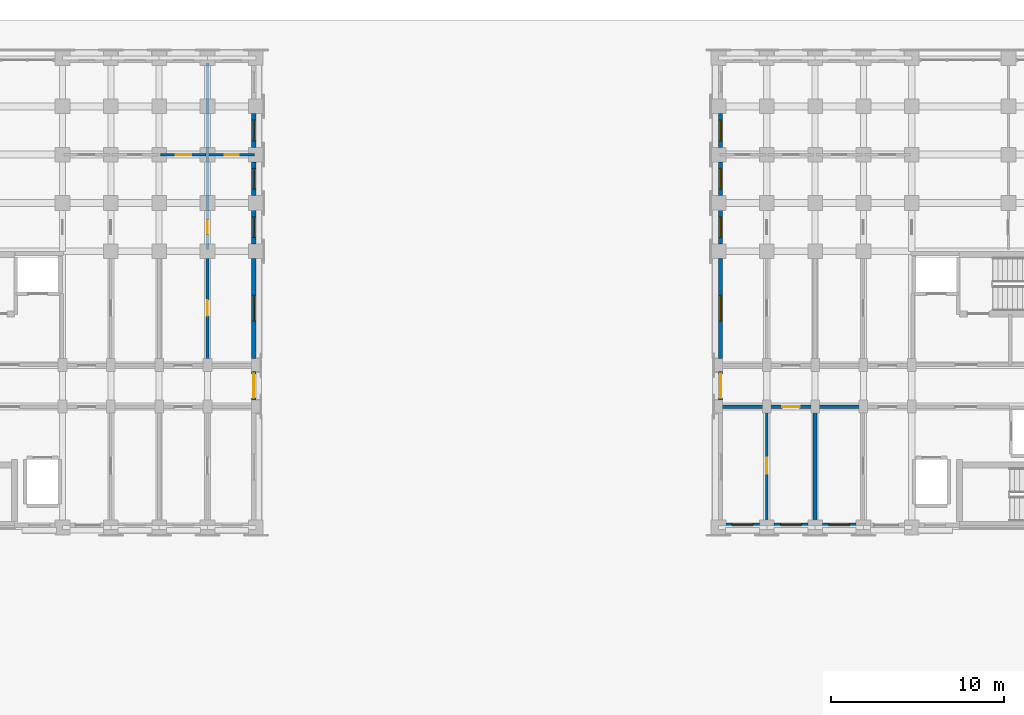
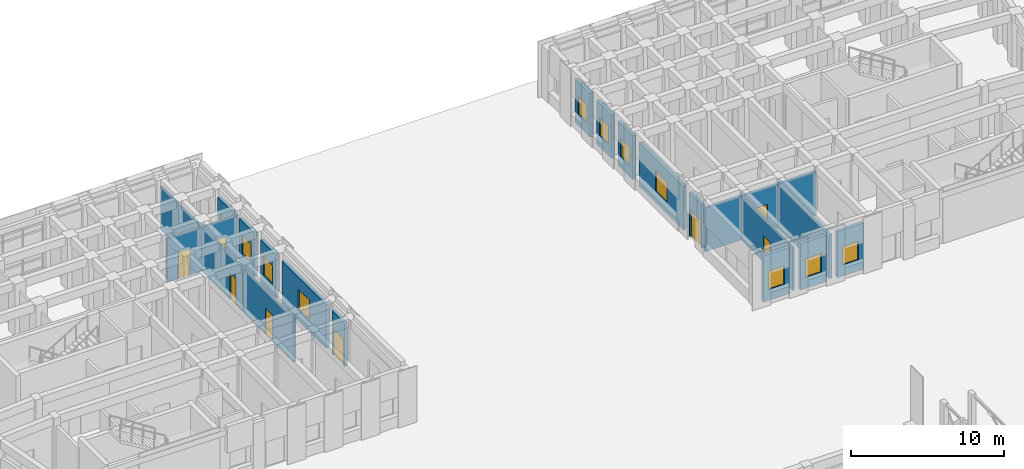
# One storey, part 104 of 135: 22 walls, 11 windows, 8 doors, 19 openings.
"""IFC4 building model written with IfcOpenShell, lengths in metres."""

from ifc_helpers import new_model, si_unit, direction, frame, frame_2d, origin, place, context, subcontext, project, spatial, rectangle, extrude, material, layer, layer_set, type_object, element, fill, save


model = new_model("IFC4")

# Units and contexts
model_context = context("Model", 3, precision=1e-05, world=origin(), true_north=direction((0.0, 1.0)))
body_context = subcontext(model_context, "Body", "Model", "MODEL_VIEW")
ifc_project = project(units=[si_unit("LENGTHUNIT", "METRE"), si_unit("AREAUNIT", "SQUARE_METRE"), si_unit("VOLUMEUNIT", "CUBIC_METRE"), si_unit("PLANEANGLEUNIT", "RADIAN"), si_unit("MASSUNIT", "GRAM", prefix="KILO")], contexts=[model_context])

# Site, building, storey
site_placement = place(None, origin())
site = spatial("IfcSite", under=ifc_project, at=site_placement, CompositionType="ELEMENT")
building_placement = place(site_placement, origin())
building = spatial("IfcBuilding", under=site, at=building_placement, Name="Kiranvali Square Residences", CompositionType="ELEMENT")
storey_placement = place(building_placement, origin())
storey = spatial("IfcBuildingStorey", under=building, at=storey_placement, Name="L00", CompositionType="ELEMENT", Elevation=0.0)

# Wall
ifc_material_1 = material(Name="Autoclaved aerated concrete blockwork masonry", Category="masonry")
ifc_layer_1 = layer(ifc_material_1, 0.199951171875)
ifc_layer_set_1 = layer_set([ifc_layer_1], Name="Autoclaved aerated concrete blockwork masonry")
wall_type_1 = type_object("IfcWallType", Name="WL-COR-200", PredefinedType="STANDARD", material=ifc_layer_set_1)
wall_1_placement = place(storey_placement, frame((105.800048828125, 113.60009765625, 0.0), z_axis=(0.0, 0.0, 1.0), x_axis=(-1.0, 0.0, 0.0)))
element("IfcWall", 1, at=wall_1_placement, inside=storey, type_object=wall_type_1, Name="L00 architectural wall WL-L00-B-A1CI-1", PredefinedType="STANDARD", context=body_context, shape_type="SweptSolid", body=[
    extrude(rectangle(XDim=2.800048828125, YDim=0.199951171875, at=frame_2d((1.39990234375, 0.0))), origin(), (0.0, 0.0, 1.0), 3.491943359375),
])

# Wall, opening, door
wall_2_placement = place(storey_placement, frame((103.0, 113.60009765625, 0.0), z_axis=(0.0, 0.0, 1.0), x_axis=(-1.0, 0.0, 0.0)))
wall_2 = element("IfcWall", 2, at=wall_2_placement, inside=storey, type_object=wall_type_1, Name="L00 architectural wall WL-L00-B-A1CI-2", PredefinedType="STANDARD", context=body_context, shape_type="SweptSolid", body=[
    extrude(rectangle(XDim=2.800048828125, YDim=0.199951171875, at=frame_2d((1.39990234375, 0.0))), origin(), (0.0, 0.0, 1.0), 3.491943359375),
])
opening_1_placement = place(wall_2_placement, frame((0.89990234375, 0.0, 0.0)))
opening_1 = element("IfcOpeningElement", 3, at=opening_1_placement, cuts=wall_2, Name="Opening FD-APT-60", PredefinedType="OPENING", context=body_context, shape_type="SweptSolid", body=[
    extrude(rectangle(XDim=1.0, YDim=2.14990234375, at=frame_2d((0.5, 1.074951171875))), frame((0.0, 0.10986328125, 0.0), z_axis=(0.0, -1.0, 0.0), x_axis=(1.0, 0.0, 0.0)), (0.0, 0.0, 1.0), 0.219970703125),
])
ifc_material_2 = material(Name="Fire-rated acoustic hardwood and mineral-core door assembly", Category="wood")
door_type_1 = type_object("IfcDoorType", Name="DR-APT-1000", OperationType="NOTDEFINED", PredefinedType="DOOR", material=ifc_material_2)
door_1_placement = place(opening_1_placement, frame((1.0, 0.0, 0.0), z_axis=(0.0, 0.0, 1.0), x_axis=(-1.0, 0.0, 0.0)))
door_1 = element("IfcDoor", 4, at=door_1_placement, inside=storey, type_object=door_type_1, Name="L00 door DR-L00-0958 (DR-APT-1000)", OperationType="SINGLE_SWING_RIGHT", OverallHeight=2.14990234375, OverallWidth=1.0, PredefinedType="DOOR", context=body_context, shape_type="SweptSolid", body=[
    extrude(rectangle(XDim=1.0, YDim=2.14990234375, at=frame_2d((0.5, 1.074951171875))), frame((0.0, 0.02490234375, 0.0), z_axis=(0.0, -1.0, 0.0), x_axis=(1.0, 0.0, 0.0)), (0.0, 0.0, 1.0), 0.050048828125),
])
fill(opening_1, door_1)

# Walls
wall_3_placement = place(storey_placement, frame((100.199951171875, 113.60009765625, 0.0), z_axis=(0.0, 0.0, 1.0), x_axis=(-1.0, 0.0, 0.0)))
element("IfcWall", 5, at=wall_3_placement, inside=storey, type_object=wall_type_1, Name="L00 architectural wall WL-L00-B-A1CI-3", PredefinedType="STANDARD", context=body_context, shape_type="SweptSolid", body=[
    extrude(rectangle(XDim=2.800048828125, YDim=0.199951171875, at=frame_2d((1.39990234375, 0.0))), origin(), (0.0, 0.0, 1.0), 3.491943359375),
])
ifc_layer_2 = layer(ifc_material_1, 0.219970703125)
ifc_layer_set_2 = layer_set([ifc_layer_2], Name="Autoclaved aerated concrete blockwork masonry")
wall_type_2 = type_object("IfcWallType", Name="WL-DEM-220", PredefinedType="STANDARD", material=ifc_layer_set_2)
wall_4_placement = place(storey_placement, frame((103.0, 106.800048828125, 0.0), z_axis=(0.0, 0.0, 1.0), x_axis=(0.0, 1.0, 0.0)))
element("IfcWall", 6, at=wall_4_placement, inside=storey, type_object=wall_type_2, Name="L00 architectural wall WL-L00-B-A1TI-2", PredefinedType="STANDARD", context=body_context, shape_type="SweptSolid", body=[
    extrude(rectangle(XDim=6.75, YDim=0.219970703125, at=frame_2d((3.375, 0.0))), origin(), (0.0, 0.0, 1.0), 3.491943359375),
])

# Wall, opening, door
ifc_material_3 = material(Name="Breathable lime-rendered clay brick masonry", Category="masonry")
ifc_layer_3 = layer(ifc_material_3, 0.25)
ifc_layer_set_3 = layer_set([ifc_layer_3], Name="Breathable lime-rendered clay brick masonry")
wall_type_3 = type_object("IfcWallType", Name="WL-EXT-250", PredefinedType="STANDARD", material=ifc_layer_set_3)
wall_5_placement = place(storey_placement, frame((70.47509765625, 113.978515625, 0.0), z_axis=(0.0, 0.0, 1.0), x_axis=(0.0, 1.0, 0.0)))
wall_5 = element("IfcWall", 7, at=wall_5_placement, inside=storey, type_object=wall_type_3, Name="L00 exterior wall A-L00-A1END-1", PredefinedType="STANDARD", context=body_context, shape_type="SweptSolid", body=[
    extrude(rectangle(XDim=1.64306640625, YDim=0.25, at=frame_2d((0.821533203125, 0.0))), origin(), (0.0, 0.0, 1.0), 3.491943359375),
])
opening_2_placement = place(wall_5_placement, frame((0.123046875, 0.0, 0.0)))
opening_2 = element("IfcOpeningElement", 8, at=opening_2_placement, cuts=wall_5, Name="Opening ED-EX-140", PredefinedType="OPENING", context=body_context, shape_type="SweptSolid", body=[
    extrude(rectangle(XDim=1.39990234375, YDim=2.14990234375, at=frame_2d((0.699951171875, 1.074951171875))), frame((0.0, 0.135009765625, 0.0), z_axis=(0.0, -1.0, 0.0), x_axis=(1.0, 0.0, 0.0)), (0.0, 0.0, 1.0), 0.27001953125),
])
door_type_2 = type_object("IfcDoorType", Name="DR-EXIT-1400", OperationType="NOTDEFINED", PredefinedType="DOOR", material=ifc_material_2)
door_2_placement = place(opening_2_placement, frame((1.39990234375, 0.0, 0.0), z_axis=(0.0, 0.0, 1.0), x_axis=(-1.0, 0.0, 0.0)))
door_2 = element("IfcDoor", 9, at=door_2_placement, inside=storey, type_object=door_type_2, Name="Block A wing gateway final exit door", OperationType="SINGLE_SWING_RIGHT", OverallHeight=2.14990234375, OverallWidth=1.39990234375, PredefinedType="DOOR", context=body_context, shape_type="SweptSolid", body=[
    extrude(rectangle(XDim=1.39990234375, YDim=2.14990234375, at=frame_2d((0.699951171875, 1.074951171875))), frame((0.0, 0.02490234375, 0.0), z_axis=(0.0, -1.0, 0.0), x_axis=(1.0, 0.0, 0.0)), (0.0, 0.0, 1.0), 0.050048828125),
])
fill(opening_2, door_2)

# Wall, opening, window
wall_6_placement = place(storey_placement, frame((70.47509765625, 116.37841796875, 0.0), z_axis=(0.0, 0.0, 1.0), x_axis=(0.0, 1.0, 0.0)))
wall_6 = element("IfcWall", 10, at=wall_6_placement, inside=storey, type_object=wall_type_3, Name="L00 exterior wall A-L00-A1END-2", PredefinedType="STANDARD", context=body_context, shape_type="SweptSolid", body=[
    extrude(rectangle(XDim=5.801513671875, YDim=0.25, at=frame_2d((2.90087890625, 0.0))), origin(), (0.0, 0.0, 1.0), 3.491943359375),
])
opening_3_placement = place(wall_6_placement, frame((2.17138671875, 0.0, 0.8798828125)))
opening_3 = element("IfcOpeningElement", 11, at=opening_3_placement, cuts=wall_6, Name="Opening W-05", PredefinedType="OPENING", context=body_context, shape_type="SweptSolid", body=[
    extrude(rectangle(XDim=1.5, YDim=1.64990234375, at=frame_2d((0.75, 0.824951171875))), frame((0.0, 0.135009765625, 0.0), z_axis=(0.0, -1.0, 0.0), x_axis=(1.0, 0.0, 0.0)), (0.0, 0.0, 1.0), 0.27001953125),
])
ifc_material_4 = material(Name="Solar-control low-e double glazing", Category="glass")
window_type_1 = type_object("IfcWindowType", Name="WIN-RES-1500x1650", PartitioningType="DOUBLE_PANEL_VERTICAL", PredefinedType="WINDOW", material=ifc_material_4)
window_1_placement = place(opening_3_placement, origin())
window_1 = element("IfcWindow", 12, at=window_1_placement, inside=storey, type_object=window_type_1, Name="L00 recessed window A-L00-A1END-2", OverallHeight=1.64990234375, OverallWidth=1.5, PartitioningType="DOUBLE_PANEL_VERTICAL", PredefinedType="WINDOW", context=body_context, shape_type="SweptSolid", body=[
    extrude(rectangle(XDim=1.5, YDim=1.64990234375, at=frame_2d((0.75, 0.824951171875))), frame((0.0, 0.030029296875, 0.0), z_axis=(0.0, -1.0, 0.0), x_axis=(1.0, 0.0, 0.0)), (0.0, 0.0, 1.0), 0.06005859375),
])
fill(opening_3, window_1)

wall_7_placement = place(storey_placement, frame((70.47509765625, 123.02001953125, 0.0), z_axis=(0.0, 0.0, 1.0), x_axis=(0.0, 1.0, 0.0)))
wall_7 = element("IfcWall", 13, at=wall_7_placement, inside=storey, type_object=wall_type_3, Name="L00 exterior wall A-L00-A1END-3", PredefinedType="STANDARD", context=body_context, shape_type="SweptSolid", body=[
    extrude(rectangle(XDim=1.9599609375, YDim=0.25, at=frame_2d((0.97998046875, 0.0))), origin(), (0.0, 0.0, 1.0), 3.491943359375),
])
opening_4_placement = place(wall_7_placement, frame((0.3798828125, 0.0, 0.8798828125)))
opening_4 = element("IfcOpeningElement", 14, at=opening_4_placement, cuts=wall_7, Name="Opening W-06", PredefinedType="OPENING", context=body_context, shape_type="SweptSolid", body=[
    extrude(rectangle(XDim=1.199951171875, YDim=1.5, at=frame_2d((0.60009765625, 0.75))), frame((0.0, 0.135009765625, 0.0), z_axis=(0.0, -1.0, 0.0), x_axis=(1.0, 0.0, 0.0)), (0.0, 0.0, 1.0), 0.27001953125),
])
window_type_2 = type_object("IfcWindowType", Name="WIN-RES-1200x1500", PartitioningType="SINGLE_PANEL", PredefinedType="WINDOW", material=ifc_material_4)
window_2_placement = place(opening_4_placement, origin())
window_2 = element("IfcWindow", 15, at=window_2_placement, inside=storey, type_object=window_type_2, Name="L00 recessed window A-L00-A1END-3", OverallHeight=1.5, OverallWidth=1.199951171875, PartitioningType="SINGLE_PANEL", PredefinedType="WINDOW", context=body_context, shape_type="SweptSolid", body=[
    extrude(rectangle(XDim=1.199951171875, YDim=1.5, at=frame_2d((0.60009765625, 0.75))), frame((0.0, 0.030029296875, 0.0), z_axis=(0.0, -1.0, 0.0), x_axis=(1.0, 0.0, 0.0)), (0.0, 0.0, 1.0), 0.06005859375),
])
fill(opening_4, window_2)

wall_8_placement = place(storey_placement, frame((70.47509765625, 125.820068359375, 0.0), z_axis=(0.0, 0.0, 1.0), x_axis=(0.0, 1.0, 0.0)))
wall_8 = element("IfcWall", 16, at=wall_8_placement, inside=storey, type_object=wall_type_3, Name="L00 exterior wall A-L00-A1END-4", PredefinedType="STANDARD", context=body_context, shape_type="SweptSolid", body=[
    extrude(rectangle(XDim=1.9599609375, YDim=0.25, at=frame_2d((0.97998046875, 0.0))), origin(), (0.0, 0.0, 1.0), 3.491943359375),
])
opening_5_placement = place(wall_8_placement, frame((0.3798828125, 0.0, 0.8798828125)))
opening_5 = element("IfcOpeningElement", 17, at=opening_5_placement, cuts=wall_8, Name="Opening W-06", PredefinedType="OPENING", context=body_context, shape_type="SweptSolid", body=[
    extrude(rectangle(XDim=1.199951171875, YDim=1.5, at=frame_2d((0.60009765625, 0.75))), frame((0.0, 0.135009765625, 0.0), z_axis=(0.0, -1.0, 0.0), x_axis=(1.0, 0.0, 0.0)), (0.0, 0.0, 1.0), 0.27001953125),
])
window_3_placement = place(opening_5_placement, origin())
window_3 = element("IfcWindow", 18, at=window_3_placement, inside=storey, type_object=window_type_2, Name="L00 recessed window A-L00-A1END-4", OverallHeight=1.5, OverallWidth=1.199951171875, PartitioningType="SINGLE_PANEL", PredefinedType="WINDOW", context=body_context, shape_type="SweptSolid", body=[
    extrude(rectangle(XDim=1.199951171875, YDim=1.5, at=frame_2d((0.60009765625, 0.75))), frame((0.0, 0.030029296875, 0.0), z_axis=(0.0, -1.0, 0.0), x_axis=(1.0, 0.0, 0.0)), (0.0, 0.0, 1.0), 0.06005859375),
])
fill(opening_5, window_3)

wall_9_placement = place(storey_placement, frame((70.47509765625, 128.6201171875, 0.0), z_axis=(0.0, 0.0, 1.0), x_axis=(0.0, 1.0, 0.0)))
wall_9 = element("IfcWall", 19, at=wall_9_placement, inside=storey, type_object=wall_type_3, Name="L00 exterior wall A-L00-A1END-5", PredefinedType="STANDARD", context=body_context, shape_type="SweptSolid", body=[
    extrude(rectangle(XDim=1.9599609375, YDim=0.25, at=frame_2d((0.97998046875, 0.0))), origin(), (0.0, 0.0, 1.0), 3.491943359375),
])
opening_6_placement = place(wall_9_placement, frame((0.3798828125, 0.0, 0.8798828125)))
opening_6 = element("IfcOpeningElement", 20, at=opening_6_placement, cuts=wall_9, Name="Opening W-06", PredefinedType="OPENING", context=body_context, shape_type="SweptSolid", body=[
    extrude(rectangle(XDim=1.199951171875, YDim=1.5, at=frame_2d((0.60009765625, 0.75))), frame((0.0, 0.135009765625, 0.0), z_axis=(0.0, -1.0, 0.0), x_axis=(1.0, 0.0, 0.0)), (0.0, 0.0, 1.0), 0.27001953125),
])
window_4_placement = place(opening_6_placement, origin())
window_4 = element("IfcWindow", 21, at=window_4_placement, inside=storey, type_object=window_type_2, Name="L00 recessed window A-L00-A1END-5", OverallHeight=1.5, OverallWidth=1.199951171875, PartitioningType="SINGLE_PANEL", PredefinedType="WINDOW", context=body_context, shape_type="SweptSolid", body=[
    extrude(rectangle(XDim=1.199951171875, YDim=1.5, at=frame_2d((0.60009765625, 0.75))), frame((0.0, 0.030029296875, 0.0), z_axis=(0.0, -1.0, 0.0), x_axis=(1.0, 0.0, 0.0)), (0.0, 0.0, 1.0), 0.06005859375),
])
fill(opening_6, window_4)

wall_10_placement = place(storey_placement, frame((105.3798828125, 106.72509765625, 0.0), z_axis=(0.0, 0.0, 1.0), x_axis=(-1.0, 0.0, 0.0)))
wall_10 = element("IfcWall", 22, at=wall_10_placement, inside=storey, type_object=wall_type_3, Name="L00 exterior wall B-L00-A1I-1", PredefinedType="STANDARD", context=body_context, shape_type="SweptSolid", body=[
    extrude(rectangle(XDim=1.9599609375, YDim=0.25, at=frame_2d((0.97998046875, 0.0))), origin(), (0.0, 0.0, 1.0), 3.69189453125),
])
opening_7_placement = place(wall_10_placement, frame((0.3798828125, 0.0, 0.8798828125)))
opening_7 = element("IfcOpeningElement", 23, at=opening_7_placement, cuts=wall_10, Name="Opening W-06", PredefinedType="OPENING", context=body_context, shape_type="SweptSolid", body=[
    extrude(rectangle(XDim=1.199951171875, YDim=1.5, at=frame_2d((0.60009765625, 0.75))), frame((0.0, 0.135009765625, 0.0), z_axis=(0.0, -1.0, 0.0), x_axis=(1.0, 0.0, 0.0)), (0.0, 0.0, 1.0), 0.27001953125),
])
window_5_placement = place(opening_7_placement, origin())
window_5 = element("IfcWindow", 24, at=window_5_placement, inside=storey, type_object=window_type_2, Name="L00 recessed window B-L00-A1I-1", OverallHeight=1.5, OverallWidth=1.199951171875, PartitioningType="SINGLE_PANEL", PredefinedType="WINDOW", context=body_context, shape_type="SweptSolid", body=[
    extrude(rectangle(XDim=1.199951171875, YDim=1.5, at=frame_2d((0.60009765625, 0.75))), frame((0.0, 0.030029296875, 0.0), z_axis=(0.0, -1.0, 0.0), x_axis=(1.0, 0.0, 0.0)), (0.0, 0.0, 1.0), 0.06005859375),
])
fill(opening_7, window_5)

wall_11_placement = place(storey_placement, frame((102.580078125, 106.72509765625, 0.0), z_axis=(0.0, 0.0, 1.0), x_axis=(-1.0, 0.0, 0.0)))
wall_11 = element("IfcWall", 25, at=wall_11_placement, inside=storey, type_object=wall_type_3, Name="L00 exterior wall B-L00-A1I-2", PredefinedType="STANDARD", context=body_context, shape_type="SweptSolid", body=[
    extrude(rectangle(XDim=1.9599609375, YDim=0.25, at=frame_2d((0.97998046875, 0.0))), origin(), (0.0, 0.0, 1.0), 3.69189453125),
])
opening_8_placement = place(wall_11_placement, frame((0.3798828125, 0.0, 0.8798828125)))
opening_8 = element("IfcOpeningElement", 26, at=opening_8_placement, cuts=wall_11, Name="Opening W-06", PredefinedType="OPENING", context=body_context, shape_type="SweptSolid", body=[
    extrude(rectangle(XDim=1.199951171875, YDim=1.5, at=frame_2d((0.60009765625, 0.75))), frame((0.0, 0.135009765625, 0.0), z_axis=(0.0, -1.0, 0.0), x_axis=(1.0, 0.0, 0.0)), (0.0, 0.0, 1.0), 0.27001953125),
])
window_6_placement = place(opening_8_placement, origin())
window_6 = element("IfcWindow", 27, at=window_6_placement, inside=storey, type_object=window_type_2, Name="L00 recessed window B-L00-A1I-2", OverallHeight=1.5, OverallWidth=1.199951171875, PartitioningType="SINGLE_PANEL", PredefinedType="WINDOW", context=body_context, shape_type="SweptSolid", body=[
    extrude(rectangle(XDim=1.199951171875, YDim=1.5, at=frame_2d((0.60009765625, 0.75))), frame((0.0, 0.030029296875, 0.0), z_axis=(0.0, -1.0, 0.0), x_axis=(1.0, 0.0, 0.0)), (0.0, 0.0, 1.0), 0.06005859375),
])
fill(opening_8, window_6)

wall_12_placement = place(storey_placement, frame((99.780029296875, 106.72509765625, 0.0), z_axis=(0.0, 0.0, 1.0), x_axis=(-1.0, 0.0, 0.0)))
wall_12 = element("IfcWall", 28, at=wall_12_placement, inside=storey, type_object=wall_type_3, Name="L00 exterior wall B-L00-A1I-3", PredefinedType="STANDARD", context=body_context, shape_type="SweptSolid", body=[
    extrude(rectangle(XDim=1.9599609375, YDim=0.25, at=frame_2d((0.97998046875, 0.0))), origin(), (0.0, 0.0, 1.0), 3.69189453125),
])
opening_9_placement = place(wall_12_placement, frame((0.3798828125, 0.0, 0.8798828125)))
opening_9 = element("IfcOpeningElement", 29, at=opening_9_placement, cuts=wall_12, Name="Opening W-06", PredefinedType="OPENING", context=body_context, shape_type="SweptSolid", body=[
    extrude(rectangle(XDim=1.199951171875, YDim=1.5, at=frame_2d((0.60009765625, 0.75))), frame((0.0, 0.135009765625, 0.0), z_axis=(0.0, -1.0, 0.0), x_axis=(1.0, 0.0, 0.0)), (0.0, 0.0, 1.0), 0.27001953125),
])
window_7_placement = place(opening_9_placement, origin())
window_7 = element("IfcWindow", 30, at=window_7_placement, inside=storey, type_object=window_type_2, Name="L00 recessed window B-L00-A1I-3", OverallHeight=1.5, OverallWidth=1.199951171875, PartitioningType="SINGLE_PANEL", PredefinedType="WINDOW", context=body_context, shape_type="SweptSolid", body=[
    extrude(rectangle(XDim=1.199951171875, YDim=1.5, at=frame_2d((0.60009765625, 0.75))), frame((0.0, 0.030029296875, 0.0), z_axis=(0.0, -1.0, 0.0), x_axis=(1.0, 0.0, 0.0)), (0.0, 0.0, 1.0), 0.06005859375),
])
fill(opening_9, window_7)

# Wall, opening, door
wall_13_placement = place(storey_placement, frame((97.52490234375, 113.978515625, 0.0), z_axis=(0.0, 0.0, 1.0), x_axis=(0.0, 1.0, 0.0)))
wall_13 = element("IfcWall", 31, at=wall_13_placement, inside=storey, type_object=wall_type_3, Name="L00 exterior wall B-L00-A1END-1", PredefinedType="STANDARD", context=body_context, shape_type="SweptSolid", body=[
    extrude(rectangle(XDim=1.64306640625, YDim=0.25, at=frame_2d((0.821533203125, 0.0))), origin(), (0.0, 0.0, 1.0), 3.491943359375),
])
opening_10_placement = place(wall_13_placement, frame((0.123046875, 0.0, 0.0)))
opening_10 = element("IfcOpeningElement", 32, at=opening_10_placement, cuts=wall_13, Name="Opening ED-EX-140", PredefinedType="OPENING", context=body_context, shape_type="SweptSolid", body=[
    extrude(rectangle(XDim=1.39990234375, YDim=2.14990234375, at=frame_2d((0.699951171875, 1.074951171875))), frame((0.0, 0.135009765625, 0.0), z_axis=(0.0, -1.0, 0.0), x_axis=(1.0, 0.0, 0.0)), (0.0, 0.0, 1.0), 0.27001953125),
])
door_3_placement = place(opening_10_placement, origin())
door_3 = element("IfcDoor", 33, at=door_3_placement, inside=storey, type_object=door_type_2, Name="Block B wing gateway final exit door", OperationType="SINGLE_SWING_LEFT", OverallHeight=2.14990234375, OverallWidth=1.39990234375, PredefinedType="DOOR", context=body_context, shape_type="SweptSolid", body=[
    extrude(rectangle(XDim=1.39990234375, YDim=2.14990234375, at=frame_2d((0.699951171875, 1.074951171875))), frame((0.0, 0.02490234375, 0.0), z_axis=(0.0, -1.0, 0.0), x_axis=(1.0, 0.0, 0.0)), (0.0, 0.0, 1.0), 0.050048828125),
])
fill(opening_10, door_3)

# Wall, opening, window
wall_14_placement = place(storey_placement, frame((97.52490234375, 116.37841796875, 0.0), z_axis=(0.0, 0.0, 1.0), x_axis=(0.0, 1.0, 0.0)))
wall_14 = element("IfcWall", 34, at=wall_14_placement, inside=storey, type_object=wall_type_3, Name="L00 exterior wall B-L00-A1END-2", PredefinedType="STANDARD", context=body_context, shape_type="SweptSolid", body=[
    extrude(rectangle(XDim=5.801513671875, YDim=0.25, at=frame_2d((2.90087890625, 0.0))), origin(), (0.0, 0.0, 1.0), 3.491943359375),
])
opening_11_placement = place(wall_14_placement, frame((2.17138671875, 0.0, 0.8798828125)))
opening_11 = element("IfcOpeningElement", 35, at=opening_11_placement, cuts=wall_14, Name="Opening W-05", PredefinedType="OPENING", context=body_context, shape_type="SweptSolid", body=[
    extrude(rectangle(XDim=1.5, YDim=1.64990234375, at=frame_2d((0.75, 0.824951171875))), frame((0.0, 0.135009765625, 0.0), z_axis=(0.0, -1.0, 0.0), x_axis=(1.0, 0.0, 0.0)), (0.0, 0.0, 1.0), 0.27001953125),
])
window_8_placement = place(opening_11_placement, origin())
window_8 = element("IfcWindow", 36, at=window_8_placement, inside=storey, type_object=window_type_1, Name="L00 recessed window B-L00-A1END-2", OverallHeight=1.64990234375, OverallWidth=1.5, PartitioningType="DOUBLE_PANEL_VERTICAL", PredefinedType="WINDOW", context=body_context, shape_type="SweptSolid", body=[
    extrude(rectangle(XDim=1.5, YDim=1.64990234375, at=frame_2d((0.75, 0.824951171875))), frame((0.0, 0.030029296875, 0.0), z_axis=(0.0, -1.0, 0.0), x_axis=(1.0, 0.0, 0.0)), (0.0, 0.0, 1.0), 0.06005859375),
])
fill(opening_11, window_8)

wall_15_placement = place(storey_placement, frame((97.52490234375, 123.02001953125, 0.0), z_axis=(0.0, 0.0, 1.0), x_axis=(0.0, 1.0, 0.0)))
wall_15 = element("IfcWall", 37, at=wall_15_placement, inside=storey, type_object=wall_type_3, Name="L00 exterior wall B-L00-A1END-3", PredefinedType="STANDARD", context=body_context, shape_type="SweptSolid", body=[
    extrude(rectangle(XDim=1.9599609375, YDim=0.25, at=frame_2d((0.97998046875, 0.0))), origin(), (0.0, 0.0, 1.0), 3.491943359375),
])
opening_12_placement = place(wall_15_placement, frame((0.3798828125, 0.0, 0.8798828125)))
opening_12 = element("IfcOpeningElement", 38, at=opening_12_placement, cuts=wall_15, Name="Opening W-06", PredefinedType="OPENING", context=body_context, shape_type="SweptSolid", body=[
    extrude(rectangle(XDim=1.199951171875, YDim=1.5, at=frame_2d((0.60009765625, 0.75))), frame((0.0, 0.135009765625, 0.0), z_axis=(0.0, -1.0, 0.0), x_axis=(1.0, 0.0, 0.0)), (0.0, 0.0, 1.0), 0.27001953125),
])
window_9_placement = place(opening_12_placement, origin())
window_9 = element("IfcWindow", 39, at=window_9_placement, inside=storey, type_object=window_type_2, Name="L00 recessed window B-L00-A1END-3", OverallHeight=1.5, OverallWidth=1.199951171875, PartitioningType="SINGLE_PANEL", PredefinedType="WINDOW", context=body_context, shape_type="SweptSolid", body=[
    extrude(rectangle(XDim=1.199951171875, YDim=1.5, at=frame_2d((0.60009765625, 0.75))), frame((0.0, 0.030029296875, 0.0), z_axis=(0.0, -1.0, 0.0), x_axis=(1.0, 0.0, 0.0)), (0.0, 0.0, 1.0), 0.06005859375),
])
fill(opening_12, window_9)

wall_16_placement = place(storey_placement, frame((97.52490234375, 125.820068359375, 0.0), z_axis=(0.0, 0.0, 1.0), x_axis=(0.0, 1.0, 0.0)))
wall_16 = element("IfcWall", 40, at=wall_16_placement, inside=storey, type_object=wall_type_3, Name="L00 exterior wall B-L00-A1END-4", PredefinedType="STANDARD", context=body_context, shape_type="SweptSolid", body=[
    extrude(rectangle(XDim=1.9599609375, YDim=0.25, at=frame_2d((0.97998046875, 0.0))), origin(), (0.0, 0.0, 1.0), 3.491943359375),
])
opening_13_placement = place(wall_16_placement, frame((0.3798828125, 0.0, 0.8798828125)))
opening_13 = element("IfcOpeningElement", 41, at=opening_13_placement, cuts=wall_16, Name="Opening W-06", PredefinedType="OPENING", context=body_context, shape_type="SweptSolid", body=[
    extrude(rectangle(XDim=1.199951171875, YDim=1.5, at=frame_2d((0.60009765625, 0.75))), frame((0.0, 0.135009765625, 0.0), z_axis=(0.0, -1.0, 0.0), x_axis=(1.0, 0.0, 0.0)), (0.0, 0.0, 1.0), 0.27001953125),
])
window_10_placement = place(opening_13_placement, origin())
window_10 = element("IfcWindow", 42, at=window_10_placement, inside=storey, type_object=window_type_2, Name="L00 recessed window B-L00-A1END-4", OverallHeight=1.5, OverallWidth=1.199951171875, PartitioningType="SINGLE_PANEL", PredefinedType="WINDOW", context=body_context, shape_type="SweptSolid", body=[
    extrude(rectangle(XDim=1.199951171875, YDim=1.5, at=frame_2d((0.60009765625, 0.75))), frame((0.0, 0.030029296875, 0.0), z_axis=(0.0, -1.0, 0.0), x_axis=(1.0, 0.0, 0.0)), (0.0, 0.0, 1.0), 0.06005859375),
])
fill(opening_13, window_10)

wall_17_placement = place(storey_placement, frame((97.52490234375, 128.6201171875, 0.0), z_axis=(0.0, 0.0, 1.0), x_axis=(0.0, 1.0, 0.0)))
wall_17 = element("IfcWall", 43, at=wall_17_placement, inside=storey, type_object=wall_type_3, Name="L00 exterior wall B-L00-A1END-5", PredefinedType="STANDARD", context=body_context, shape_type="SweptSolid", body=[
    extrude(rectangle(XDim=1.9599609375, YDim=0.25, at=frame_2d((0.97998046875, 0.0))), origin(), (0.0, 0.0, 1.0), 3.491943359375),
])
opening_14_placement = place(wall_17_placement, frame((0.3798828125, 0.0, 0.8798828125)))
opening_14 = element("IfcOpeningElement", 44, at=opening_14_placement, cuts=wall_17, Name="Opening W-06", PredefinedType="OPENING", context=body_context, shape_type="SweptSolid", body=[
    extrude(rectangle(XDim=1.199951171875, YDim=1.5, at=frame_2d((0.60009765625, 0.75))), frame((0.0, 0.135009765625, 0.0), z_axis=(0.0, -1.0, 0.0), x_axis=(1.0, 0.0, 0.0)), (0.0, 0.0, 1.0), 0.27001953125),
])
window_11_placement = place(opening_14_placement, origin())
window_11 = element("IfcWindow", 45, at=window_11_placement, inside=storey, type_object=window_type_2, Name="L00 recessed window B-L00-A1END-5", OverallHeight=1.5, OverallWidth=1.199951171875, PartitioningType="SINGLE_PANEL", PredefinedType="WINDOW", context=body_context, shape_type="SweptSolid", body=[
    extrude(rectangle(XDim=1.199951171875, YDim=1.5, at=frame_2d((0.60009765625, 0.75))), frame((0.0, 0.030029296875, 0.0), z_axis=(0.0, -1.0, 0.0), x_axis=(1.0, 0.0, 0.0)), (0.0, 0.0, 1.0), 0.06005859375),
])
fill(opening_14, window_11)

# Wall, opening, door
ifc_material_5 = material(Name="Acoustic gypsum board drylined partition", Category="gypsum")
ifc_layer_4 = layer(ifc_material_5, 0.14990234375)
ifc_layer_set_4 = layer_set([ifc_layer_4], Name="Acoustic gypsum board drylined partition")
wall_type_4 = type_object("IfcWallType", Name="WL-PRT-150", PredefinedType="PARTITIONING", material=ifc_layer_set_4)
wall_18_placement = place(storey_placement, frame((67.800048828125, 116.050048828125, 0.0), z_axis=(0.0, 0.0, 1.0), x_axis=(0.0, 1.0, 0.0)))
wall_18 = element("IfcWall", 46, at=wall_18_placement, inside=storey, type_object=wall_type_4, Name="L00 architectural wall WL-L00-A-A1TO1-3", PredefinedType="PARTITIONING", context=body_context, shape_type="SweptSolid", body=[
    extrude(rectangle(XDim=6.530029296875, YDim=0.14990234375, at=frame_2d((3.26513671875, 0.0))), origin(), (0.0, 0.0, 1.0), 3.491943359375),
])
opening_15_placement = place(wall_18_placement, frame((2.81494140625, 0.0, 0.0)))
opening_15 = element("IfcOpeningElement", 47, at=opening_15_placement, cuts=wall_18, Name="Opening ID-1", PredefinedType="OPENING", context=body_context, shape_type="SweptSolid", body=[
    extrude(rectangle(XDim=0.89990234375, YDim=2.10009765625, at=frame_2d((0.449951171875, 1.050048828125))), frame((0.0, 0.0849609375, 0.0), z_axis=(0.0, -1.0, 0.0), x_axis=(1.0, 0.0, 0.0)), (0.0, 0.0, 1.0), 0.169921875),
])
ifc_material_6 = material(Name="Solid seasoned teak hardwood joinery", Category="wood")
door_type_3 = type_object("IfcDoorType", Name="DR-INT-900", OperationType="NOTDEFINED", PredefinedType="DOOR", material=ifc_material_6)
door_4_placement = place(opening_15_placement, frame((0.89990234375, 0.0, 0.0), z_axis=(0.0, 0.0, 1.0), x_axis=(-1.0, 0.0, 0.0)))
door_4 = element("IfcDoor", 48, at=door_4_placement, inside=storey, type_object=door_type_3, Name="L00 door DR-L00-0070 (DR-INT-900)", OperationType="SINGLE_SWING_RIGHT", OverallHeight=2.10009765625, OverallWidth=0.89990234375, PredefinedType="DOOR", context=body_context, shape_type="SweptSolid", body=[
    extrude(rectangle(XDim=0.89990234375, YDim=2.10009765625, at=frame_2d((0.449951171875, 1.050048828125))), frame((0.0, 0.02490234375, 0.0), z_axis=(0.0, -1.0, 0.0), x_axis=(1.0, 0.0, 0.0)), (0.0, 0.0, 1.0), 0.050048828125),
])
fill(opening_15, door_4)

wall_19_placement = place(storey_placement, frame((67.800048828125, 122.699951171875, 0.0), z_axis=(0.0, 0.0, 1.0), x_axis=(0.0, 1.0, 0.0)))
wall_19 = element("IfcWall", 49, at=wall_19_placement, inside=storey, type_object=wall_type_4, Name="L00 architectural wall WL-L00-A-A1TO2-3", PredefinedType="PARTITIONING", context=body_context, shape_type="SweptSolid", body=[
    extrude(rectangle(XDim=10.820068359375, YDim=0.14990234375, at=frame_2d((5.41015625, 0.0))), origin(), (0.0, 0.0, 1.0), 3.491943359375),
])
opening_16_placement = place(wall_19_placement, frame((0.8994140625, 0.0, 0.0)))
opening_16 = element("IfcOpeningElement", 50, at=opening_16_placement, cuts=wall_19, Name="Opening ID-WET", PredefinedType="OPENING", context=body_context, shape_type="SweptSolid", body=[
    extrude(rectangle(XDim=0.800048828125, YDim=2.10009765625, at=frame_2d((0.39990234375, 1.050048828125))), frame((0.0, 0.0849609375, 0.0), z_axis=(0.0, -1.0, 0.0), x_axis=(1.0, 0.0, 0.0)), (0.0, 0.0, 1.0), 0.169921875),
])
door_type_4 = type_object("IfcDoorType", Name="DR-WET-800", OperationType="NOTDEFINED", PredefinedType="DOOR", material=ifc_material_6)
door_5_placement = place(opening_16_placement, origin())
door_5 = element("IfcDoor", 51, at=door_5_placement, inside=storey, type_object=door_type_4, Name="L00 door DR-L00-0071 (DR-WET-800)", OperationType="SINGLE_SWING_LEFT", OverallHeight=2.10009765625, OverallWidth=0.800048828125, PredefinedType="DOOR", context=body_context, shape_type="SweptSolid", body=[
    extrude(rectangle(XDim=0.800048828125, YDim=2.10009765625, at=frame_2d((0.39990234375, 1.050048828125))), frame((0.0, 0.02490234375, 0.0), z_axis=(0.0, -1.0, 0.0), x_axis=(1.0, 0.0, 0.0)), (0.0, 0.0, 1.0), 0.050048828125),
])
fill(opening_16, door_5)

wall_20_placement = place(storey_placement, frame((100.199951171875, 106.800048828125, 0.0), z_axis=(0.0, 0.0, 1.0), x_axis=(0.0, 1.0, 0.0)))
wall_20 = element("IfcWall", 52, at=wall_20_placement, inside=storey, type_object=wall_type_4, Name="L00 architectural wall WL-L00-B-A1TI-3", PredefinedType="PARTITIONING", context=body_context, shape_type="SweptSolid", body=[
    extrude(rectangle(XDim=6.75, YDim=0.14990234375, at=frame_2d((3.375, 0.0))), origin(), (0.0, 0.0, 1.0), 3.491943359375),
])
opening_17_placement = place(wall_20_placement, frame((2.925048828125, 0.0, 0.0)))
opening_17 = element("IfcOpeningElement", 53, at=opening_17_placement, cuts=wall_20, Name="Opening ID-1", PredefinedType="OPENING", context=body_context, shape_type="SweptSolid", body=[
    extrude(rectangle(XDim=0.89990234375, YDim=2.10009765625, at=frame_2d((0.449951171875, 1.050048828125))), frame((0.0, 0.0849609375, 0.0), z_axis=(0.0, -1.0, 0.0), x_axis=(1.0, 0.0, 0.0)), (0.0, 0.0, 1.0), 0.169921875),
])
door_6_placement = place(opening_17_placement, frame((0.89990234375, 0.0, 0.0), z_axis=(0.0, 0.0, 1.0), x_axis=(-1.0, 0.0, 0.0)))
door_6 = element("IfcDoor", 54, at=door_6_placement, inside=storey, type_object=door_type_3, Name="L00 door DR-L00-0966 (DR-INT-900)", OperationType="SINGLE_SWING_RIGHT", OverallHeight=2.10009765625, OverallWidth=0.89990234375, PredefinedType="DOOR", context=body_context, shape_type="SweptSolid", body=[
    extrude(rectangle(XDim=0.89990234375, YDim=2.10009765625, at=frame_2d((0.449951171875, 1.050048828125))), frame((0.0, 0.02490234375, 0.0), z_axis=(0.0, -1.0, 0.0), x_axis=(1.0, 0.0, 0.0)), (0.0, 0.0, 1.0), 0.050048828125),
])
fill(opening_17, door_6)

ifc_layer_5 = layer(ifc_material_1, 0.159912109375)
ifc_layer_set_5 = layer_set([ifc_layer_5], Name="Autoclaved aerated concrete blockwork masonry")
wall_type_5 = type_object("IfcWallType", Name="WL-WET-160", PredefinedType="PLUMBINGWALL", material=ifc_layer_set_5)
wall_21_placement = place(storey_placement, frame((65.080078125, 128.199951171875, 0.0), z_axis=(0.0, 0.0, 1.0), x_axis=(1.0, 0.0, 0.0)))
wall_21 = element("IfcWall", 55, at=wall_21_placement, inside=storey, type_object=wall_type_5, Name="L00 architectural wall WL-L00-A-A1SP-2", PredefinedType="PLUMBINGWALL", context=body_context, shape_type="SweptSolid", body=[
    extrude(rectangle(XDim=2.639892578125, YDim=0.159912109375, at=frame_2d((1.31982421875, 0.0))), origin(), (0.0, 0.0, 1.0), 3.491943359375),
])
opening_18_placement = place(wall_21_placement, frame((0.8701171875, 0.0, 0.0)))
opening_18 = element("IfcOpeningElement", 56, at=opening_18_placement, cuts=wall_21, Name="Opening ID-1", PredefinedType="OPENING", context=body_context, shape_type="SweptSolid", body=[
    extrude(rectangle(XDim=0.89990234375, YDim=2.10009765625, at=frame_2d((0.449951171875, 1.050048828125))), frame((0.0, 0.08984375, 0.0), z_axis=(0.0, -1.0, 0.0), x_axis=(1.0, 0.0, 0.0)), (0.0, 0.0, 1.0), 0.179931640625),
])
door_7_placement = place(opening_18_placement, frame((0.89990234375, 0.0, 0.0), z_axis=(0.0, 0.0, 1.0), x_axis=(-1.0, 0.0, 0.0)))
door_7 = element("IfcDoor", 57, at=door_7_placement, inside=storey, type_object=door_type_3, Name="L00 door DR-L00-0062 (DR-INT-900)", OperationType="SINGLE_SWING_RIGHT", OverallHeight=2.10009765625, OverallWidth=0.89990234375, PredefinedType="DOOR", context=body_context, shape_type="SweptSolid", body=[
    extrude(rectangle(XDim=0.89990234375, YDim=2.10009765625, at=frame_2d((0.449951171875, 1.050048828125))), frame((0.0, 0.02490234375, 0.0), z_axis=(0.0, -1.0, 0.0), x_axis=(1.0, 0.0, 0.0)), (0.0, 0.0, 1.0), 0.050048828125),
])
fill(opening_18, door_7)

wall_22_placement = place(storey_placement, frame((67.8798828125, 128.199951171875, 0.0), z_axis=(0.0, 0.0, 1.0), x_axis=(1.0, 0.0, 0.0)))
wall_22 = element("IfcWall", 58, at=wall_22_placement, inside=storey, type_object=wall_type_5, Name="L00 architectural wall WL-L00-A-A1SP-3", PredefinedType="PLUMBINGWALL", context=body_context, shape_type="SweptSolid", body=[
    extrude(rectangle(XDim=2.64013671875, YDim=0.159912109375, at=frame_2d((1.320068359375, 0.0))), origin(), (0.0, 0.0, 1.0), 3.491943359375),
])
opening_19_placement = place(wall_22_placement, frame((0.919921875, 0.0, 0.0)))
opening_19 = element("IfcOpeningElement", 59, at=opening_19_placement, cuts=wall_22, Name="Opening ID-WET", PredefinedType="OPENING", context=body_context, shape_type="SweptSolid", body=[
    extrude(rectangle(XDim=0.800048828125, YDim=2.10009765625, at=frame_2d((0.39990234375, 1.050048828125))), frame((0.0, 0.08984375, 0.0), z_axis=(0.0, -1.0, 0.0), x_axis=(1.0, 0.0, 0.0)), (0.0, 0.0, 1.0), 0.179931640625),
])
door_8_placement = place(opening_19_placement, frame((0.800048828125, 0.0, 0.0), z_axis=(0.0, 0.0, 1.0), x_axis=(-1.0, 0.0, 0.0)))
door_8 = element("IfcDoor", 60, at=door_8_placement, inside=storey, type_object=door_type_4, Name="L00 door DR-L00-0064 (DR-WET-800)", OperationType="SINGLE_SWING_RIGHT", OverallHeight=2.10009765625, OverallWidth=0.800048828125, PredefinedType="DOOR", context=body_context, shape_type="SweptSolid", body=[
    extrude(rectangle(XDim=0.800048828125, YDim=2.10009765625, at=frame_2d((0.39990234375, 1.050048828125))), frame((0.0, 0.02490234375, 0.0), z_axis=(0.0, -1.0, 0.0), x_axis=(1.0, 0.0, 0.0)), (0.0, 0.0, 1.0), 0.050048828125),
])
fill(opening_19, door_8)

save(model, "model.ifc")
